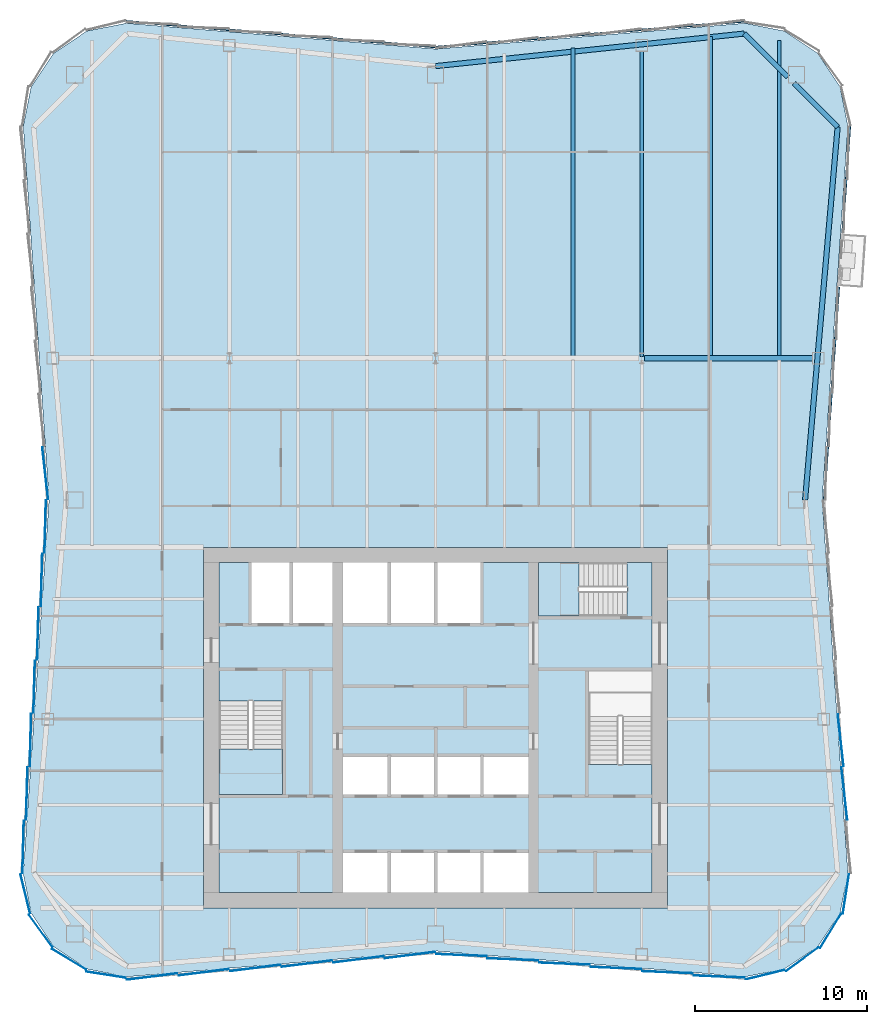
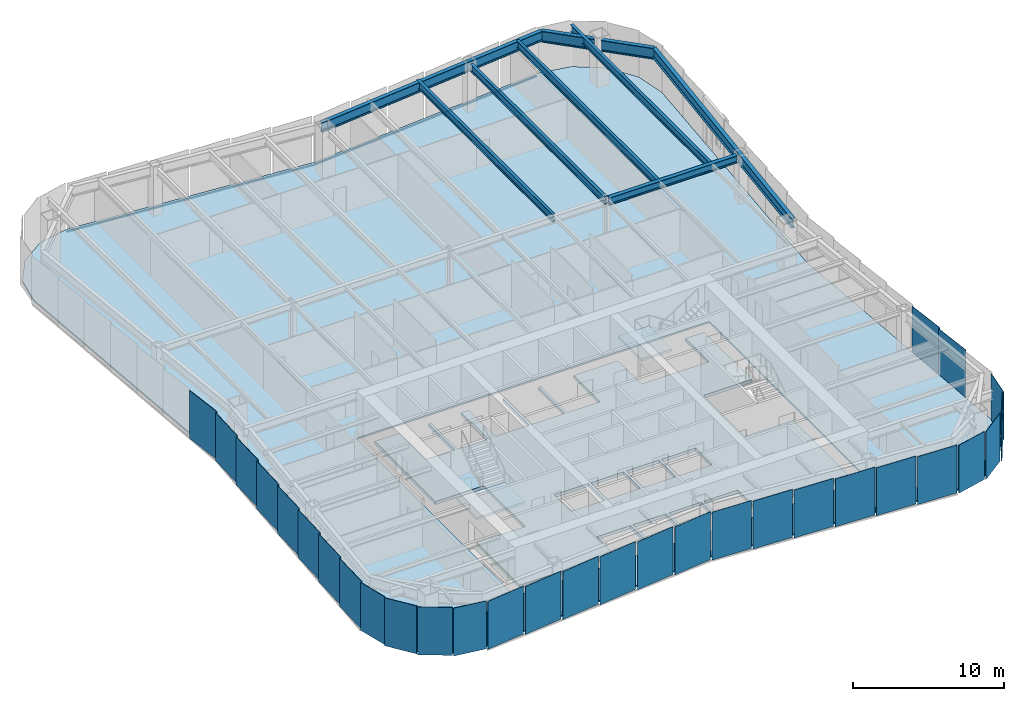
# One storey, part 3 of 10: 30 plates, 9 beams, 4 members, 4 slabs, 8 elements without a shape of their own.
"""IFC4 building model written with IfcOpenShell, lengths in metres."""

from ifc_helpers import new_model, si_unit, direction, frame, origin, origin_2d, place, context, subcontext, project, spatial, polyline, rectangle, i_section, outline, extrude, material, layer, layer_set, material_profile, profile_set, type_object, element, aggregate, save


model = new_model("IFC4")

# Units and contexts
model_context = context("Model", 3, precision=1e-05, world=origin(), true_north=direction((0.0, 1.0)))
body_context = subcontext(model_context, "Body", "Model", "MODEL_VIEW")
ifc_project = project(units=[si_unit("LENGTHUNIT", "METRE"), si_unit("AREAUNIT", "SQUARE_METRE"), si_unit("VOLUMEUNIT", "CUBIC_METRE"), si_unit("PLANEANGLEUNIT", "RADIAN"), si_unit("MASSUNIT", "GRAM", prefix="KILO")], contexts=[model_context])

# Site, building, storey
site_placement = place(None, origin())
site = spatial("IfcSite", under=ifc_project, at=site_placement, CompositionType="ELEMENT")
building_placement = place(site_placement, origin())
building = spatial("IfcBuilding", under=site, at=building_placement, Name="Verdant Reach Tower", CompositionType="ELEMENT")
storey_placement = place(building_placement, frame((0.0, 0.0, 186.0)))
storey = spatial("IfcBuildingStorey", under=building, at=storey_placement, Name="L42", CompositionType="ELEMENT", Elevation=186.0)

# Curtain wall, members
ifc_material_1 = material(Name="Anodised aluminium", Category="aluminium")
curtain_wall_type = type_object("IfcCurtainWallType", Name="EN-CW SYSTEM Z3", PredefinedType="NOTDEFINED", material=ifc_material_1)
curtain_wall_1_placement = place(storey_placement, origin())
curtain_wall_1 = element("IfcCurtainWall", 1, at=curtain_wall_1_placement, inside=storey, type_object=curtain_wall_type, Name="Curtain wall east, L42", PredefinedType="NOTDEFINED")
ifc_material_profile_1 = material_profile(ifc_material_1, rectangle(XDim=0.10009765625, YDim=0.1259765625, at=origin_2d()), Name="Transom 126x100")
ifc_profile_set_1 = profile_set([ifc_material_profile_1], Name="Anodised aluminium")
member_type = type_object("IfcMemberType", Name="EN-TRANSOM Z3", PredefinedType="USERDEFINED", material=ifc_profile_set_1)
member_1_placement = place(storey_placement, frame((22.611328125, 41.282958984375, -0.287109375), z_axis=(0.068819005353, 0.997629161814, 0.0), x_axis=(-0.997629161814, 0.068819005353, 0.0)))
member_1 = element("IfcMember", 2, at=member_1_placement, type_object=member_type, Name="Transom east face part 2 1.1, L42", ObjectType="TRANSOM", PredefinedType="USERDEFINED", context=body_context, shape_type="SweptSolid", body=[
    extrude(rectangle(XDim=0.10009765625, YDim=0.1259765625, at=origin_2d()), origin(), (0.0, 0.0, 1.0), 12.384521484375),
])
member_2_placement = place(storey_placement, frame((23.682373046875, 56.81103515625, -0.287109375), z_axis=(0.068646115672, 0.997641073134, 0.0), x_axis=(-0.997641073134, 0.068646115672, 0.0)))
member_2 = element("IfcMember", 3, at=member_2_placement, type_object=member_type, Name="Transom east face part 2 2.1, L42", ObjectType="TRANSOM", PredefinedType="USERDEFINED", context=body_context, shape_type="SweptSolid", body=[
    extrude(rectangle(XDim=0.10009765625, YDim=0.1259765625, at=origin_2d()), origin(), (0.0, 0.0, 1.0), 6.177734375),
])

curtain_wall_2_placement = place(storey_placement, origin())
curtain_wall_2 = element("IfcCurtainWall", 4, at=curtain_wall_2_placement, inside=storey, type_object=curtain_wall_type, Name="Curtain wall north, L42", PredefinedType="NOTDEFINED")
member_3_placement = place(storey_placement, frame((17.973388671875, 69.106201171875, -0.287109375), z_axis=(-0.996548750467, -0.083009565369, 0.0), x_axis=(0.083009565369, -0.996548750467, 0.0)))
member_3 = element("IfcMember", 5, at=member_3_placement, type_object=member_type, Name="Transom north face part 1 1.1, L42", ObjectType="TRANSOM", PredefinedType="USERDEFINED", context=body_context, shape_type="SweptSolid", body=[
    extrude(rectangle(XDim=0.10009765625, YDim=0.1259765625, at=origin_2d()), origin(), (0.0, 0.0, 1.0), 18.00244140625),
])
member_4_placement = place(storey_placement, frame((-0.032958984375, 67.61181640625, -0.287109375), z_axis=(-0.996548750467, 0.083009565369, 0.0), x_axis=(-0.083009565369, -0.996548750467, 0.0)))
member_4 = element("IfcMember", 6, at=member_4_placement, type_object=member_type, Name="Transom north face part 2 1.1, L42", ObjectType="TRANSOM", PredefinedType="USERDEFINED", context=body_context, shape_type="SweptSolid", body=[
    extrude(rectangle(XDim=0.10009765625, YDim=0.1259765625, at=origin_2d()), origin(), (0.0, 0.0, 1.0), 18.00244140625),
])
aggregate(curtain_wall_2, [member_3, member_4])

# Beams
ifc_material_2 = material(Name="Steel S355", Category="steel")
ifc_material_profile_2 = material_profile(ifc_material_2, i_section(OverallWidth=0.300048828125, OverallDepth=0.60009765625, WebThickness=0.015380859375, FlangeThickness=0.030029296875, FilletRadius=0.027099609375, at=origin_2d()), Name="HEB 600")
ifc_profile_set_2 = profile_set([ifc_material_profile_2], Name="Steel S355")
beam_type_1 = type_object("IfcBeamType", Name="ST-BEAM-HEB600", PredefinedType="BEAM", material=ifc_profile_set_2)
beam_1_placement = place(storey_placement, frame((12.152587890625, 49.5, 3.570068359375), z_axis=(1.0, 0.0, 0.0), x_axis=(0.0, 1.0, 0.0)))
element("IfcBeam", 7, at=beam_1_placement, inside=storey, type_object=beam_type_1, Name="Row girder, L42", PredefinedType="BEAM", context=body_context, shape_type="SweptSolid", body=[
    extrude(i_section(OverallWidth=0.300048828125, OverallDepth=0.60009765625, WebThickness=0.015380859375, FlangeThickness=0.030029296875, FilletRadius=0.027099609375, at=origin_2d()), origin(), (0.0, 0.0, 1.0), 9.766357421875),
])
ifc_material_profile_3 = material_profile(ifc_material_2, i_section(OverallWidth=0.219970703125, OverallDepth=0.60009765625, WebThickness=0.011962890625, FlangeThickness=0.01904296875, FilletRadius=0.02392578125, at=origin_2d()), Name="IPE 600")
ifc_profile_set_3 = profile_set([ifc_material_profile_3], Name="Steel S355")
beam_type_2 = type_object("IfcBeamType", Name="ST-JOIST-IPE600", PredefinedType="JOIST", material=ifc_profile_set_3)
beam_2_placement = place(storey_placement, frame((8.0, 49.60009765625, 3.570068359375), z_axis=(0.0, 1.0, 0.0), x_axis=(-1.0, 0.0, 0.0)))
element("IfcBeam", 8, at=beam_2_placement, inside=storey, type_object=beam_type_2, Name="Floor joist, L42", PredefinedType="JOIST", context=body_context, shape_type="SweptSolid", body=[
    extrude(i_section(OverallWidth=0.219970703125, OverallDepth=0.60009765625, WebThickness=0.011962890625, FlangeThickness=0.01904296875, FilletRadius=0.02392578125, at=origin_2d()), origin(), (0.0, 0.0, 1.0), 17.964599609375),
])
beam_3_placement = place(storey_placement, frame((12.0, 49.60009765625, 3.570068359375), z_axis=(0.0, 1.0, 0.0), x_axis=(-1.0, 0.0, 0.0)))
element("IfcBeam", 9, at=beam_3_placement, inside=storey, type_object=beam_type_2, Name="Floor joist, L42", PredefinedType="JOIST", context=body_context, shape_type="SweptSolid", body=[
    extrude(i_section(OverallWidth=0.219970703125, OverallDepth=0.60009765625, WebThickness=0.011962890625, FlangeThickness=0.01904296875, FilletRadius=0.02392578125, at=origin_2d()), origin(), (0.0, 0.0, 1.0), 17.75),
])
beam_4_placement = place(storey_placement, frame((16.0, 49.60009765625, 3.570068359375), z_axis=(0.0, 1.0, 0.0), x_axis=(-1.0, 0.0, 0.0)))
element("IfcBeam", 10, at=beam_4_placement, inside=storey, type_object=beam_type_2, Name="Floor joist, L42", PredefinedType="JOIST", context=body_context, shape_type="SweptSolid", body=[
    extrude(i_section(OverallWidth=0.219970703125, OverallDepth=0.60009765625, WebThickness=0.011962890625, FlangeThickness=0.01904296875, FilletRadius=0.02392578125, at=origin_2d()), origin(), (0.0, 0.0, 1.0), 18.631103515625),
])
beam_5_placement = place(storey_placement, frame((20.0, 49.60009765625, 3.570068359375), z_axis=(0.0, 1.0, 0.0), x_axis=(-1.0, 0.0, 0.0)))
element("IfcBeam", 11, at=beam_5_placement, inside=storey, type_object=beam_type_2, Name="Floor joist, L42", PredefinedType="JOIST", context=body_context, shape_type="SweptSolid", body=[
    extrude(i_section(OverallWidth=0.219970703125, OverallDepth=0.60009765625, WebThickness=0.011962890625, FlangeThickness=0.01904296875, FilletRadius=0.02392578125, at=origin_2d()), origin(), (0.0, 0.0, 1.0), 18.390380859375),
])
ifc_material_profile_4 = material_profile(ifc_material_2, i_section(OverallWidth=0.300048828125, OverallDepth=0.800048828125, WebThickness=0.017578125, FlangeThickness=0.032958984375, FilletRadius=0.030029296875, at=origin_2d()), Name="HEB 800")
ifc_profile_set_4 = profile_set([ifc_material_profile_4], Name="Steel S355")
beam_type_3 = type_object("IfcBeamType", Name="ST-SPANDREL-HEB800", PredefinedType="SPANDREL", material=ifc_profile_set_4)
beam_6_placement = place(storey_placement, frame((0.0, 66.5, 3.469970703125), z_axis=(0.994483067002, 0.104897232783, 0.0), x_axis=(-0.104897232783, 0.994483067002, 0.0)))
element("IfcBeam", 12, at=beam_6_placement, inside=storey, type_object=beam_type_3, Name="Edge beam, L42", PredefinedType="SPANDREL", context=body_context, shape_type="SweptSolid", body=[
    extrude(i_section(OverallWidth=0.300048828125, OverallDepth=0.800048828125, WebThickness=0.017578125, FlangeThickness=0.032958984375, FilletRadius=0.030029296875, at=origin_2d()), origin(), (0.0, 0.0, 1.0), 18.0654296875),
])
beam_7_placement = place(storey_placement, frame((23.39599609375, 62.96142578125, 3.469970703125), z_axis=(-0.086996024331, -0.996208658741, 0.0), x_axis=(0.996208658741, -0.086996024331, 0.0)))
element("IfcBeam", 13, at=beam_7_placement, inside=storey, type_object=beam_type_3, Name="Edge beam, L42", PredefinedType="SPANDREL", context=body_context, shape_type="SweptSolid", body=[
    extrude(i_section(OverallWidth=0.300048828125, OverallDepth=0.800048828125, WebThickness=0.017578125, FlangeThickness=0.032958984375, FilletRadius=0.030029296875, at=origin_2d()), origin(), (0.0, 0.0, 1.0), 21.7939453125),
])
ifc_material_profile_5 = material_profile(ifc_material_2, i_section(OverallWidth=0.302001953125, OverallDepth=0.909912109375, WebThickness=0.02099609375, FlangeThickness=0.0400390625, FilletRadius=0.030029296875, at=origin_2d()), Name="HEM 900")
ifc_profile_set_5 = profile_set([ifc_material_profile_5], Name="Steel S355")
beam_type_4 = type_object("IfcBeamType", Name="ST-SPANDREL-HEM900", PredefinedType="SPANDREL", material=ifc_profile_set_5)
beam_8_placement = place(storey_placement, frame((17.9658203125, 68.39501953125, 3.4150390625), z_axis=(0.706868394255, -0.707345087777, 0.0), x_axis=(0.707345087777, 0.706868394255, 0.0)))
element("IfcBeam", 14, at=beam_8_placement, inside=storey, type_object=beam_type_4, Name="Edge beam, L42", PredefinedType="SPANDREL", context=body_context, shape_type="SweptSolid", body=[
    extrude(i_section(OverallWidth=0.302001953125, OverallDepth=0.909912109375, WebThickness=0.02099609375, FlangeThickness=0.0400390625, FilletRadius=0.030029296875, at=origin_2d()), origin(), (0.0, 0.0, 1.0), 3.5849609375),
])
beam_9_placement = place(storey_placement, frame((20.85888671875, 65.5, 3.4150390625), z_axis=(0.706902680526, -0.707310822952, 0.0), x_axis=(0.707310822952, 0.706902680526, 0.0)))
element("IfcBeam", 15, at=beam_9_placement, inside=storey, type_object=beam_type_4, Name="Edge beam, L42", PredefinedType="SPANDREL", context=body_context, shape_type="SweptSolid", body=[
    extrude(i_section(OverallWidth=0.302001953125, OverallDepth=0.909912109375, WebThickness=0.02099609375, FlangeThickness=0.0400390625, FilletRadius=0.030029296875, at=origin_2d()), origin(), (0.0, 0.0, 1.0), 3.589111328125),
])

# Stair, slab
ifc_material_3 = material(Name="Concrete C40/50", Category="concrete")
stair_type = type_object("IfcStairType", Name="CO-STAIR", PredefinedType="HALF_TURN_STAIR", material=ifc_material_3)
stair_1_placement = place(storey_placement, origin())
stair_1 = element("IfcStair", 16, at=stair_1_placement, inside=storey, type_object=stair_type, Name="L42 Exit stair 1", PredefinedType="HALF_TURN_STAIR")
ifc_layer_1 = layer(ifc_material_3, 0.199951171875)
ifc_layer_set_1 = layer_set([ifc_layer_1], Name="CO-STAIR-LANDING")
slab_type_1 = type_object("IfcSlabType", Name="CO-STAIR-LANDING", PredefinedType="LANDING", material=ifc_layer_set_1)
slab_1_placement = place(storey_placement, frame((0.0, 0.0, 1.800048828125)))
slab_1 = element("IfcSlab", 17, at=slab_1_placement, type_object=slab_type_1, Name="ST-1 landing 1", PredefinedType="LANDING", context=body_context, shape_type="SweptSolid", body=[
    extrude(outline(polyline([(-12.60009765625, 26.75), (-12.60009765625, 24.10009765625), (-8.89990234375, 24.10009765625), (-8.89990234375, 26.75), (-12.60009765625, 26.75)])), origin(), (0.0, 0.0, 1.0), 0.199951171875),
])
aggregate(stair_1, [slab_1])

stair_2_placement = place(storey_placement, origin())
stair_2 = element("IfcStair", 18, at=stair_2_placement, inside=storey, type_object=stair_type, Name="L42 Exit stair 3", PredefinedType="HALF_TURN_STAIR")
slab_2_placement = place(storey_placement, frame((0.0, 0.0, 1.800048828125)))
slab_2 = element("IfcSlab", 19, at=slab_2_placement, type_object=slab_type_1, Name="ST-3 landing 1", PredefinedType="LANDING", context=body_context, shape_type="SweptSolid", body=[
    extrude(outline(polyline([(8.35009765625, 37.60009765625), (6.0, 37.60009765625), (6.0, 34.5), (8.35009765625, 34.5), (8.35009765625, 37.60009765625)])), origin(), (0.0, 0.0, 1.0), 0.199951171875),
])
aggregate(stair_2, [slab_2])

# Curtain wall, plates
curtain_wall_3_placement = place(storey_placement, origin())
curtain_wall_3 = element("IfcCurtainWall", 20, at=curtain_wall_3_placement, inside=storey, type_object=curtain_wall_type, Name="Curtain wall south-east corner, L42", PredefinedType="NOTDEFINED")
ifc_material_4 = material(Name="Tinted glass with champagne spandrel", Category="glass")
ifc_layer_2 = layer(ifc_material_4, 0.031982421875)
ifc_layer_set_2 = layer_set([ifc_layer_2], Name="EN-PANEL CHAMPAGNE")
plate_type_1 = type_object("IfcPlateType", Name="EN-PANEL CHAMPAGNE", PredefinedType="CURTAIN_PANEL", material=ifc_layer_set_2)
plate_1_placement = place(storey_placement, frame((19.171875, 13.62353515625, -0.22412109375), z_axis=(0.0, 0.0, 1.0), x_axis=(0.971655117833, 0.236402901821, 0.0)))
plate_1 = element("IfcPlate", 21, at=plate_1_placement, type_object=plate_type_1, Name="Glass panel south-east corner 1.1, L42", PredefinedType="CURTAIN_PANEL", context=body_context, shape_type="SweptSolid", body=[
    extrude(rectangle(XDim=2.3154296875, YDim=0.031982421875, at=origin_2d()), origin(), (0.0, 0.0, 1.0), 3.8740234375),
])
plate_2_placement = place(storey_placement, frame((21.328857421875, 14.51806640625, -0.22412109375), z_axis=(0.0, 0.0, 1.0), x_axis=(0.807456768214, 0.589926747542, 0.0)))
plate_2 = element("IfcPlate", 22, at=plate_2_placement, type_object=plate_type_1, Name="Glass panel south-east corner 2.1, L42", PredefinedType="CURTAIN_PANEL", context=body_context, shape_type="SweptSolid", body=[
    extrude(rectangle(XDim=2.321533203125, YDim=0.031982421875, at=origin_2d()), origin(), (0.0, 0.0, 1.0), 3.8740234375),
])

curtain_wall_4_placement = place(storey_placement, origin())
curtain_wall_4 = element("IfcCurtainWall", 23, at=curtain_wall_4_placement, inside=storey, type_object=curtain_wall_type, Name="Curtain wall west, L42", PredefinedType="NOTDEFINED")
plate_3_placement = place(storey_placement, frame((-23.572998046875, 27.275390625, -0.22412109375), z_axis=(0.0, 0.0, 1.0), x_axis=(-0.026965318308, -0.999636369691, 0.0)))
plate_3 = element("IfcPlate", 24, at=plate_3_placement, type_object=plate_type_1, Name="Glass panel west face part 2 5.1, L42", PredefinedType="CURTAIN_PANEL", context=body_context, shape_type="SweptSolid", body=[
    extrude(rectangle(XDim=3.052490234375, YDim=0.031982421875, at=origin_2d()), origin(), (0.0, 0.0, 1.0), 3.8740234375),
])
plate_4_placement = place(storey_placement, frame((-23.787353515625, 24.168212890625, -0.22412109375), z_axis=(0.0, 0.0, 1.0), x_axis=(-0.026965318308, -0.999636369691, 0.0)))
plate_4 = element("IfcPlate", 25, at=plate_4_placement, type_object=plate_type_1, Name="Glass panel west face part 2 6.1, L42", PredefinedType="CURTAIN_PANEL", context=body_context, shape_type="SweptSolid", body=[
    extrude(rectangle(XDim=3.052490234375, YDim=0.031982421875, at=origin_2d()), origin(), (0.0, 0.0, 1.0), 3.8740234375),
])

curtain_wall_5_placement = place(storey_placement, origin())
curtain_wall_5 = element("IfcCurtainWall", 26, at=curtain_wall_5_placement, inside=storey, type_object=curtain_wall_type, Name="Curtain wall south-west corner, L42", PredefinedType="NOTDEFINED")
plate_5_placement = place(storey_placement, frame((-21.328857421875, 14.51806640625, -0.22412109375), z_axis=(0.0, 0.0, 1.0), x_axis=(0.853988701636, -0.520291550457, 0.0)))
plate_5 = element("IfcPlate", 27, at=plate_5_placement, type_object=plate_type_1, Name="Glass panel south-west corner 3.1, L42", PredefinedType="CURTAIN_PANEL", context=body_context, shape_type="SweptSolid", body=[
    extrude(rectangle(XDim=2.321533203125, YDim=0.031982421875, at=origin_2d()), origin(), (0.0, 0.0, 1.0), 3.8740234375),
])
plate_6_placement = place(storey_placement, frame((-19.171875, 13.62353515625, -0.22412109375), z_axis=(0.0, 0.0, 1.0), x_axis=(0.988029071555, -0.154267798848, 0.0)))
plate_6 = element("IfcPlate", 28, at=plate_6_placement, type_object=plate_type_1, Name="Glass panel south-west corner 4.1, L42", PredefinedType="CURTAIN_PANEL", context=body_context, shape_type="SweptSolid", body=[
    extrude(rectangle(XDim=2.3154296875, YDim=0.031982421875, at=origin_2d()), origin(), (0.0, 0.0, 1.0), 3.8740234375),
])

curtain_wall_6_placement = place(storey_placement, origin())
curtain_wall_6 = element("IfcCurtainWall", 29, at=curtain_wall_6_placement, inside=storey, type_object=curtain_wall_type, Name="Curtain wall south, L42", PredefinedType="NOTDEFINED")
plate_7_placement = place(storey_placement, frame((-16.49853515625, 13.516357421875, -0.22412109375), z_axis=(0.0, 0.0, 1.0), x_axis=(0.992237766434, 0.124355196363, 0.0)))
plate_7 = element("IfcPlate", 30, at=plate_7_placement, type_object=plate_type_1, Name="Glass panel south face part 1 1.1, L42", PredefinedType="CURTAIN_PANEL", context=body_context, shape_type="SweptSolid", body=[
    extrude(rectangle(XDim=2.963623046875, YDim=0.031982421875, at=origin_2d()), origin(), (0.0, 0.0, 1.0), 3.8740234375),
])
plate_8_placement = place(storey_placement, frame((-13.490966796875, 13.766357421875, -0.22412109375), z_axis=(0.0, 0.0, 1.0), x_axis=(0.992194034542, 0.124703639961, 0.0)))
plate_8 = element("IfcPlate", 31, at=plate_8_placement, type_object=plate_type_1, Name="Glass panel south face part 1 2.1, L42", PredefinedType="CURTAIN_PANEL", context=body_context, shape_type="SweptSolid", body=[
    extrude(rectangle(XDim=2.948486328125, YDim=0.031982421875, at=origin_2d()), origin(), (0.0, 0.0, 1.0), 3.8740234375),
])
plate_9_placement = place(storey_placement, frame((4.490966796875, 14.516357421875, -0.22412109375), z_axis=(0.0, 0.0, 1.0), x_axis=(0.999149202059, -0.041241629766, 0.0)))
plate_9 = element("IfcPlate", 32, at=plate_9_placement, type_object=plate_type_1, Name="Glass panel south face part 2 2.1, L42", PredefinedType="CURTAIN_PANEL", context=body_context, shape_type="SweptSolid", body=[
    extrude(rectangle(XDim=2.948486328125, YDim=0.031982421875, at=origin_2d()), origin(), (0.0, 0.0, 1.0), 3.8740234375),
])
plate_10_placement = place(storey_placement, frame((7.490966796875, 14.266357421875, -0.22412109375), z_axis=(0.0, 0.0, 1.0), x_axis=(0.999149202059, -0.041241629766, 0.0)))
plate_10 = element("IfcPlate", 33, at=plate_10_placement, type_object=plate_type_1, Name="Glass panel south face part 2 3.1, L42", PredefinedType="CURTAIN_PANEL", context=body_context, shape_type="SweptSolid", body=[
    extrude(rectangle(XDim=2.948486328125, YDim=0.031982421875, at=origin_2d()), origin(), (0.0, 0.0, 1.0), 3.8740234375),
])
plate_11_placement = place(storey_placement, frame((10.490966796875, 14.016357421875, -0.22412109375), z_axis=(0.0, 0.0, 1.0), x_axis=(0.999149202059, -0.041241629766, 0.0)))
plate_11 = element("IfcPlate", 34, at=plate_11_placement, type_object=plate_type_1, Name="Glass panel south face part 2 4.1, L42", PredefinedType="CURTAIN_PANEL", context=body_context, shape_type="SweptSolid", body=[
    extrude(rectangle(XDim=2.948486328125, YDim=0.031982421875, at=origin_2d()), origin(), (0.0, 0.0, 1.0), 3.8740234375),
])

# Plate
ifc_material_5 = material(Name="Tinted glass with copper spandrel", Category="glass")
ifc_layer_3 = layer(ifc_material_5, 0.031982421875)
ifc_layer_set_3 = layer_set([ifc_layer_3], Name="EN-PANEL COPPER")
plate_type_2 = type_object("IfcPlateType", Name="EN-PANEL COPPER", PredefinedType="CURTAIN_PANEL", material=ifc_layer_set_3)
plate_12_placement = place(storey_placement, frame((22.98193359375, 16.171142578125, -0.22412109375), z_axis=(0.0, 0.0, 1.0), x_axis=(0.520291550457, 0.853988701636, 0.0)))
plate_12 = element("IfcPlate", 35, at=plate_12_placement, type_object=plate_type_2, Name="Glass panel south-east corner 3.1, L42", PredefinedType="CURTAIN_PANEL", context=body_context, shape_type="SweptSolid", body=[
    extrude(rectangle(XDim=2.321533203125, YDim=0.031982421875, at=origin_2d()), origin(), (0.0, 0.0, 1.0), 3.8740234375),
])

plate_13_placement = place(storey_placement, frame((23.87646484375, 18.32763671875, -0.22412109375), z_axis=(0.0, 0.0, 1.0), x_axis=(0.154311870796, 0.988022189291, 0.0)))
plate_13 = element("IfcPlate", 36, at=plate_13_placement, type_object=plate_type_2, Name="Glass panel south-east corner 4.1, L42", PredefinedType="CURTAIN_PANEL", context=body_context, shape_type="SweptSolid", body=[
    extrude(rectangle(XDim=2.314697265625, YDim=0.031982421875, at=origin_2d()), origin(), (0.0, 0.0, 1.0), 3.8740234375),
])

aggregate(curtain_wall_3, [plate_1, plate_2, plate_12, plate_13])

plate_14_placement = place(storey_placement, frame((23.787353515625, 24.168212890625, -0.22412109375), z_axis=(0.0, 0.0, 1.0), x_axis=(-0.110518162674, 0.993874104562, 0.0)))
plate_14 = element("IfcPlate", 37, at=plate_14_placement, type_object=plate_type_2, Name="Glass panel east face part 1 2.1, L42", PredefinedType="CURTAIN_PANEL", context=body_context, shape_type="SweptSolid", body=[
    extrude(rectangle(XDim=3.052490234375, YDim=0.031982421875, at=origin_2d()), origin(), (0.0, 0.0, 1.0), 3.8740234375),
])

plate_15_placement = place(storey_placement, frame((23.572998046875, 27.275390625, -0.22412109375), z_axis=(0.0, 0.0, 1.0), x_axis=(-0.110518162674, 0.993874104562, 0.0)))
plate_15 = element("IfcPlate", 38, at=plate_15_placement, type_object=plate_type_2, Name="Glass panel east face part 1 3.1, L42", PredefinedType="CURTAIN_PANEL", context=body_context, shape_type="SweptSolid", body=[
    extrude(rectangle(XDim=3.052490234375, YDim=0.031982421875, at=origin_2d()), origin(), (0.0, 0.0, 1.0), 3.8740234375),
])

aggregate(curtain_wall_1, [plate_14, plate_15, member_1, member_2])

plate_16_placement = place(storey_placement, frame((-22.716064453125, 42.7998046875, -0.22412109375), z_axis=(0.0, 0.0, 1.0), x_axis=(0.110600785385, -0.993864913493, 0.0)))
plate_16 = element("IfcPlate", 39, at=plate_16_placement, type_object=plate_type_2, Name="Glass panel west face part 1 7.1, L42", PredefinedType="CURTAIN_PANEL", context=body_context, shape_type="SweptSolid", body=[
    extrude(rectangle(XDim=3.044921875, YDim=0.031982421875, at=origin_2d()), origin(), (0.0, 0.0, 1.0), 3.8740234375),
])

plate_17_placement = place(storey_placement, frame((-22.716064453125, 39.7001953125, -0.22412109375), z_axis=(0.0, 0.0, 1.0), x_axis=(-0.027048420339, -0.999634124546, 0.0)))
plate_17 = element("IfcPlate", 40, at=plate_17_placement, type_object=plate_type_2, Name="Glass panel west face part 2 1.1, L42", PredefinedType="CURTAIN_PANEL", context=body_context, shape_type="SweptSolid", body=[
    extrude(rectangle(XDim=3.044921875, YDim=0.031982421875, at=origin_2d()), origin(), (0.0, 0.0, 1.0), 3.8740234375),
])

plate_18_placement = place(storey_placement, frame((-24.001708984375, 21.053955078125, -0.22412109375), z_axis=(0.0, 0.0, 1.0), x_axis=(-0.026659626966, -0.999644568979, 0.0)))
plate_18 = element("IfcPlate", 41, at=plate_18_placement, type_object=plate_type_2, Name="Glass panel west face part 2 7.1, L42", PredefinedType="CURTAIN_PANEL", context=body_context, shape_type="SweptSolid", body=[
    extrude(rectangle(XDim=3.06689453125, YDim=0.031982421875, at=origin_2d()), origin(), (0.0, 0.0, 1.0), 3.8740234375),
])

plate_19_placement = place(storey_placement, frame((-10.490966796875, 14.016357421875, -0.22412109375), z_axis=(0.0, 0.0, 1.0), x_axis=(0.992194034542, 0.124703639961, 0.0)))
plate_19 = element("IfcPlate", 42, at=plate_19_placement, type_object=plate_type_2, Name="Glass panel south face part 1 3.1, L42", PredefinedType="CURTAIN_PANEL", context=body_context, shape_type="SweptSolid", body=[
    extrude(rectangle(XDim=2.948486328125, YDim=0.031982421875, at=origin_2d()), origin(), (0.0, 0.0, 1.0), 3.8740234375),
])

plate_20_placement = place(storey_placement, frame((-7.490966796875, 14.266357421875, -0.22412109375), z_axis=(0.0, 0.0, 1.0), x_axis=(0.992194034542, 0.124703639961, 0.0)))
plate_20 = element("IfcPlate", 43, at=plate_20_placement, type_object=plate_type_2, Name="Glass panel south face part 1 4.1, L42", PredefinedType="CURTAIN_PANEL", context=body_context, shape_type="SweptSolid", body=[
    extrude(rectangle(XDim=2.948486328125, YDim=0.031982421875, at=origin_2d()), origin(), (0.0, 0.0, 1.0), 3.8740234375),
])

plate_21_placement = place(storey_placement, frame((-4.490966796875, 14.516357421875, -0.22412109375), z_axis=(0.0, 0.0, 1.0), x_axis=(0.992194034542, 0.124703639961, 0.0)))
plate_21 = element("IfcPlate", 44, at=plate_21_placement, type_object=plate_type_2, Name="Glass panel south face part 1 5.1, L42", PredefinedType="CURTAIN_PANEL", context=body_context, shape_type="SweptSolid", body=[
    extrude(rectangle(XDim=2.948486328125, YDim=0.031982421875, at=origin_2d()), origin(), (0.0, 0.0, 1.0), 3.8740234375),
])

plate_22_placement = place(storey_placement, frame((13.490966796875, 13.766357421875, -0.22412109375), z_axis=(0.0, 0.0, 1.0), x_axis=(0.999149202059, -0.041241629766, 0.0)))
plate_22 = element("IfcPlate", 45, at=plate_22_placement, type_object=plate_type_2, Name="Glass panel south face part 2 5.1, L42", PredefinedType="CURTAIN_PANEL", context=body_context, shape_type="SweptSolid", body=[
    extrude(rectangle(XDim=2.948486328125, YDim=0.031982421875, at=origin_2d()), origin(), (0.0, 0.0, 1.0), 3.8740234375),
])

plate_23_placement = place(storey_placement, frame((16.49853515625, 13.516357421875, -0.22412109375), z_axis=(0.0, 0.0, 1.0), x_axis=(0.999163623568, -0.040890748818, 0.0)))
plate_23 = element("IfcPlate", 46, at=plate_23_placement, type_object=plate_type_2, Name="Glass panel south face part 2 6.1, L42", PredefinedType="CURTAIN_PANEL", context=body_context, shape_type="SweptSolid", body=[
    extrude(rectangle(XDim=2.963623046875, YDim=0.031982421875, at=origin_2d()), origin(), (0.0, 0.0, 1.0), 3.8740234375),
])

ifc_material_6 = material(Name="Tinted glass with dark bronze spandrel", Category="glass")
ifc_layer_4 = layer(ifc_material_6, 0.031982421875)
ifc_layer_set_4 = layer_set([ifc_layer_4], Name="EN-PANEL DARK")
plate_type_3 = type_object("IfcPlateType", Name="EN-PANEL DARK", PredefinedType="CURTAIN_PANEL", material=ifc_layer_set_4)
plate_24_placement = place(storey_placement, frame((-22.93017578125, 36.5966796875, -0.22412109375), z_axis=(0.0, 0.0, 1.0), x_axis=(-0.026965318308, -0.999636369691, 0.0)))
plate_24 = element("IfcPlate", 47, at=plate_24_placement, type_object=plate_type_3, Name="Glass panel west face part 2 2.1, L42", PredefinedType="CURTAIN_PANEL", context=body_context, shape_type="SweptSolid", body=[
    extrude(rectangle(XDim=3.052490234375, YDim=0.031982421875, at=origin_2d()), origin(), (0.0, 0.0, 1.0), 3.8740234375),
])

plate_25_placement = place(storey_placement, frame((-23.14453125, 33.48974609375, -0.22412109375), z_axis=(0.0, 0.0, 1.0), x_axis=(-0.026965318308, -0.999636369691, 0.0)))
plate_25 = element("IfcPlate", 48, at=plate_25_placement, type_object=plate_type_3, Name="Glass panel west face part 2 3.1, L42", PredefinedType="CURTAIN_PANEL", context=body_context, shape_type="SweptSolid", body=[
    extrude(rectangle(XDim=3.052490234375, YDim=0.031982421875, at=origin_2d()), origin(), (0.0, 0.0, 1.0), 3.8740234375),
])

plate_26_placement = place(storey_placement, frame((-23.358642578125, 30.382568359375, -0.22412109375), z_axis=(0.0, 0.0, 1.0), x_axis=(-0.026965318308, -0.999636369691, 0.0)))
plate_26 = element("IfcPlate", 49, at=plate_26_placement, type_object=plate_type_3, Name="Glass panel west face part 2 4.1, L42", PredefinedType="CURTAIN_PANEL", context=body_context, shape_type="SweptSolid", body=[
    extrude(rectangle(XDim=3.052490234375, YDim=0.031982421875, at=origin_2d()), origin(), (0.0, 0.0, 1.0), 3.8740234375),
])

aggregate(curtain_wall_4, [plate_16, plate_17, plate_24, plate_25, plate_26, plate_3, plate_4, plate_18])

plate_27_placement = place(storey_placement, frame((-23.87646484375, 18.32763671875, -0.22412109375), z_axis=(0.0, 0.0, 1.0), x_axis=(0.23644624331, -0.97164457186, 0.0)))
plate_27 = element("IfcPlate", 50, at=plate_27_placement, type_object=plate_type_3, Name="Glass panel south-west corner 1.1, L42", PredefinedType="CURTAIN_PANEL", context=body_context, shape_type="SweptSolid", body=[
    extrude(rectangle(XDim=2.314697265625, YDim=0.031982421875, at=origin_2d()), origin(), (0.0, 0.0, 1.0), 3.8740234375),
])

plate_28_placement = place(storey_placement, frame((-22.98193359375, 16.171142578125, -0.22412109375), z_axis=(0.0, 0.0, 1.0), x_axis=(0.589926747542, -0.807456768214, 0.0)))
plate_28 = element("IfcPlate", 51, at=plate_28_placement, type_object=plate_type_3, Name="Glass panel south-west corner 2.1, L42", PredefinedType="CURTAIN_PANEL", context=body_context, shape_type="SweptSolid", body=[
    extrude(rectangle(XDim=2.321533203125, YDim=0.031982421875, at=origin_2d()), origin(), (0.0, 0.0, 1.0), 3.8740234375),
])

aggregate(curtain_wall_5, [plate_27, plate_28, plate_5, plate_6])

plate_29_placement = place(storey_placement, frame((-1.495361328125, 14.76611328125, -0.22412109375), z_axis=(0.0, 0.0, 1.0), x_axis=(0.992178382939, 0.124828107529, 0.0)))
plate_29 = element("IfcPlate", 52, at=plate_29_placement, type_object=plate_type_3, Name="Glass panel south face part 1 6.1, L42", PredefinedType="CURTAIN_PANEL", context=body_context, shape_type="SweptSolid", body=[
    extrude(rectangle(XDim=2.939453125, YDim=0.031982421875, at=origin_2d()), origin(), (0.0, 0.0, 1.0), 3.8740234375),
])

plate_30_placement = place(storey_placement, frame((1.495361328125, 14.76611328125, -0.22412109375), z_axis=(0.0, 0.0, 1.0), x_axis=(0.999144020525, -0.041366970501, 0.0)))
plate_30 = element("IfcPlate", 53, at=plate_30_placement, type_object=plate_type_3, Name="Glass panel south face part 2 1.1, L42", PredefinedType="CURTAIN_PANEL", context=body_context, shape_type="SweptSolid", body=[
    extrude(rectangle(XDim=2.939453125, YDim=0.031982421875, at=origin_2d()), origin(), (0.0, 0.0, 1.0), 3.8740234375),
])

aggregate(curtain_wall_6, [plate_7, plate_8, plate_19, plate_20, plate_21, plate_29, plate_30, plate_9, plate_10, plate_11, plate_22, plate_23])

# Slabs
ifc_material_7 = material(Name="Concrete C35/45", Category="concrete")
ifc_layer_5 = layer(ifc_material_7, 0.1298828125)
ifc_layer_set_5 = layer_set([ifc_layer_5], Name="ST-SLAB-130")
slab_type_2 = type_object("IfcSlabType", Name="ST-SLAB-130", PredefinedType="FLOOR", material=ifc_layer_set_5)
slab_3_placement = place(storey_placement, frame((0.0, 0.0, -0.1298828125)))
element("IfcSlab", 54, at=slab_3_placement, inside=storey, type_object=slab_type_2, Name="Floor slab L42", PredefinedType="FLOOR", context=body_context, shape_type="SweptSolid", body=[
    extrude(outline(polyline([(0.0, 15.0), (-18.0, 13.5), (-20.296142578125, 13.956787109375), (-22.24267578125, 15.25732421875), (-23.543212890625, 17.203857421875), (-24.0, 19.5), (-22.5, 41.25), (-24.0, 63.0), (-23.543212890625, 65.296142578125), (-22.24267578125, 67.24267578125), (-20.296142578125, 68.543212890625), (-18.0, 69.0), (0.0, 67.5), (18.0, 69.0), (20.296142578125, 68.543212890625), (22.24267578125, 67.24267578125), (23.543212890625, 65.296142578125), (24.0, 63.0), (22.5, 41.25), (24.0, 19.5), (23.543212890625, 17.203857421875), (22.24267578125, 15.25732421875), (20.296142578125, 13.956787109375), (18.0, 13.5), (0.0, 15.0)]), holes=[polyline([(13.5, 38.5), (-13.5, 38.5), (-13.5, 17.5), (13.5, 17.5), (13.5, 38.5)])]), origin(), (0.0, 0.0, 1.0), 0.1298828125),
])
ifc_layer_6 = layer(ifc_material_7, 0.25)
ifc_layer_set_6 = layer_set([ifc_layer_6], Name="ST-SLAB-250")
slab_type_3 = type_object("IfcSlabType", Name="ST-SLAB-250", PredefinedType="FLOOR", material=ifc_layer_set_6)
slab_4_placement = place(storey_placement, frame((0.0, 0.0, -0.25)))
element("IfcSlab", 55, at=slab_4_placement, inside=storey, type_object=slab_type_3, Name="Core floor slab L42", PredefinedType="FLOOR", context=body_context, shape_type="SweptSolid", body=[
    extrude(outline(polyline([(12.60009765625, 18.39990234375), (5.39990234375, 18.39990234375), (5.39990234375, 20.699951171875), (2.800048828125, 20.699951171875), (2.800048828125, 18.39990234375), (2.60009765625, 18.39990234375), (2.60009765625, 20.699951171875), (0.10009765625, 20.699951171875), (0.10009765625, 18.39990234375), (-0.10009765625, 18.39990234375), (-0.10009765625, 20.699951171875), (-2.60009765625, 20.699951171875), (-2.60009765625, 18.39990234375), (-2.800048828125, 18.39990234375), (-2.800048828125, 20.699951171875), (-5.39990234375, 20.699951171875), (-5.39990234375, 18.39990234375), (-12.60009765625, 18.39990234375), (-12.60009765625, 24.10009765625), (-8.89990234375, 24.10009765625), (-8.89990234375, 29.548095703125), (-12.60009765625, 29.548095703125), (-12.60009765625, 37.60009765625), (-10.699951171875, 37.60009765625), (-10.699951171875, 34.10009765625), (-8.5, 34.10009765625), (-8.5, 37.60009765625), (-8.300048828125, 37.60009765625), (-8.300048828125, 34.10009765625), (-6.0, 34.10009765625), (-6.0, 37.60009765625), (-5.39990234375, 37.60009765625), (-5.39990234375, 34.10009765625), (-2.800048828125, 34.10009765625), (-2.800048828125, 37.60009765625), (-2.60009765625, 37.60009765625), (-2.60009765625, 34.10009765625), (-0.10009765625, 34.10009765625), (-0.10009765625, 37.60009765625), (0.10009765625, 37.60009765625), (0.10009765625, 34.10009765625), (2.60009765625, 34.10009765625), (2.60009765625, 37.60009765625), (6.0, 37.60009765625), (6.0, 34.5), (11.14794921875, 34.5), (11.14794921875, 37.60009765625), (12.60009765625, 37.60009765625), (12.60009765625, 31.300048828125), (8.89990234375, 31.300048828125), (8.89990234375, 25.85205078125), (12.60009765625, 25.85205078125), (12.60009765625, 18.39990234375)]), holes=[polyline([(-2.800048828125, 24.10009765625), (-2.800048828125, 26.300048828125), (-5.39990234375, 26.300048828125), (-5.39990234375, 24.10009765625), (-2.800048828125, 24.10009765625)]), polyline([(-0.10009765625, 24.10009765625), (-0.10009765625, 26.300048828125), (-2.60009765625, 26.300048828125), (-2.60009765625, 24.10009765625), (-0.10009765625, 24.10009765625)]), polyline([(2.60009765625, 24.10009765625), (2.60009765625, 26.300048828125), (0.10009765625, 26.300048828125), (0.10009765625, 24.10009765625), (2.60009765625, 24.10009765625)]), polyline([(5.39990234375, 24.10009765625), (5.39990234375, 26.300048828125), (2.800048828125, 26.300048828125), (2.800048828125, 24.10009765625), (5.39990234375, 24.10009765625)])]), origin(), (0.0, 0.0, 1.0), 0.25),
])

save(model, "model.ifc")
